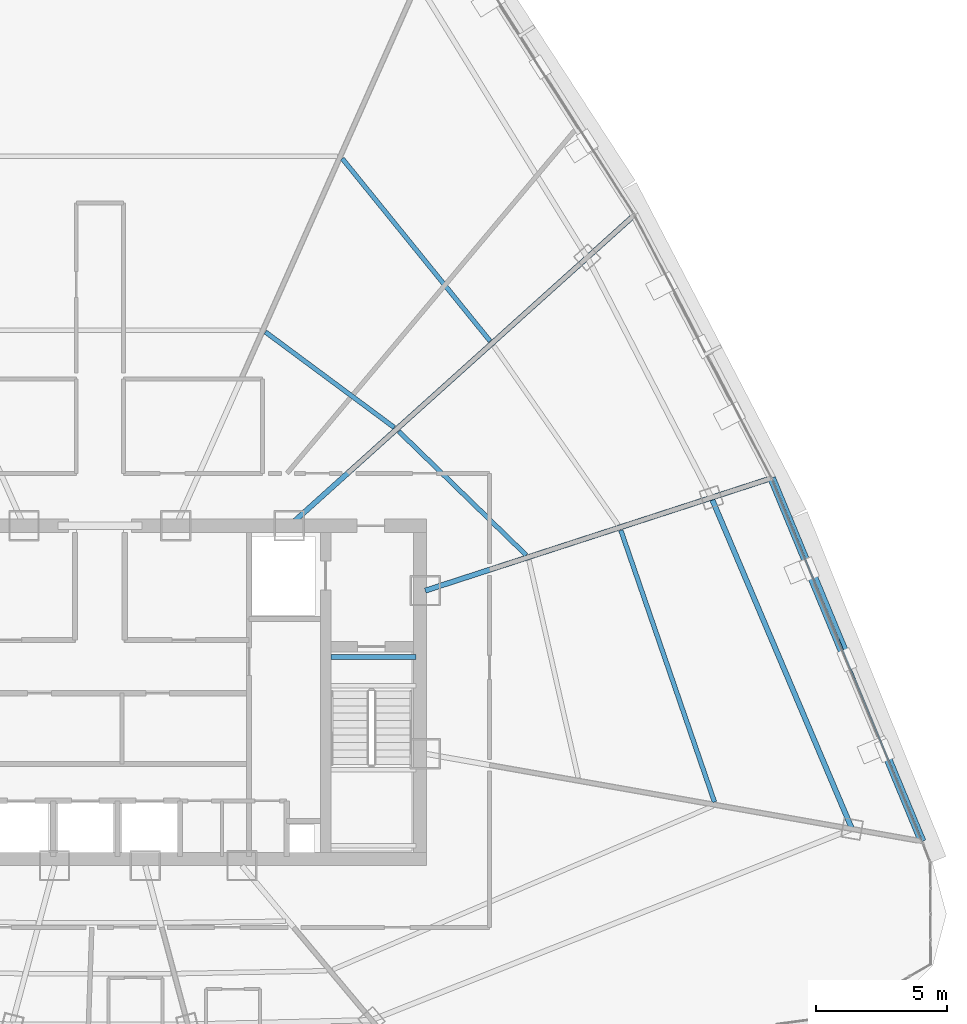
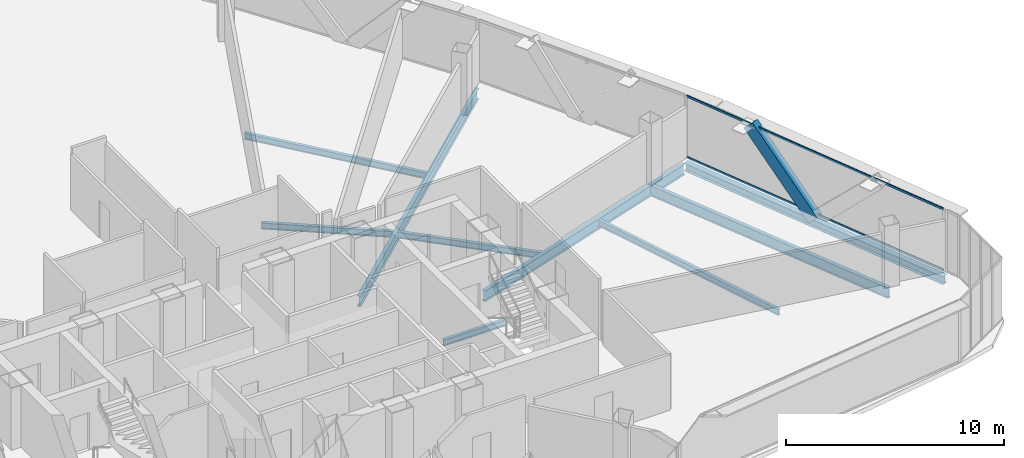
# One storey, part 17 of 39: 9 beams, 3 members, 1 element without a shape of its own.
"""IFC4 building model written with IfcOpenShell, lengths in metres."""

import ifcopenshell
import ifcopenshell.guid

model = None  # the IFC model being written
_history = None  # IfcOwnerHistory: only IFC2X3 demands one
_inside = {}  # id of a spatial element -> (the spatial element, [elements in it])
_under = {}  # id of a project, library or spatial element -> (it, [spatial elements below it])
_declared = {}  # id of a project -> (the project, [libraries it declares])
_typed = {}  # id of a type object -> (the type object, [elements of that type])
_made_of = {}  # id of a material, layer set ... -> (it, [elements and type objects made of it])


def new_model(schema):
    """Start an empty IFC model of exactly this schema.

    Asked for "IFC4X3", IfcOpenShell would pick the latest addendum, in which some entities
    have other attributes; the version numbers below select the first issue.
    IFC2X3 requires an IfcOwnerHistory on every rooted entity: one is made here for all.
    """
    global model, _history
    if schema == "IFC4X3":
        model = ifcopenshell.file(schema_version=(4, 3, 0, 0))
    else:
        model = ifcopenshell.file(schema=schema)
    _inside.clear()
    _under.clear()
    _declared.clear()
    _typed.clear()
    _made_of.clear()
    _history = None
    if model.schema == "IFC2X3":
        org = make("IfcOrganization", Name="unknown")
        user = make(
            "IfcPersonAndOrganization",
            ThePerson=make("IfcPerson", FamilyName="unknown"),
            TheOrganization=org,
        )
        app = make(
            "IfcApplication",
            ApplicationDeveloper=org,
            Version="unknown",
            ApplicationFullName="unknown",
            ApplicationIdentifier="unknown",
        )
        _history = make(
            "IfcOwnerHistory",
            OwningUser=user,
            OwningApplication=app,
            ChangeAction="ADDED",
            CreationDate=0,
        )
    return model


def make(cls, **values):
    """One entity of the class cls with the attributes given. An attribute that is None is left unset."""
    return model.create_entity(
        cls, **{name: value for name, value in values.items() if value is not None}
    )


def rooted(cls, **values):
    """An entity with a GlobalId (a new one), such as an element, a storey or a relation."""
    return make(cls, GlobalId=ifcopenshell.guid.new(), OwnerHistory=_history, **values)


def si_unit(unit_type, name, prefix=None):
    """IfcSIUnit, for example si_unit("LENGTHUNIT", "METRE", prefix="MILLI")."""
    return make("IfcSIUnit", UnitType=unit_type, Prefix=prefix, Name=name)


def assignment(units):
    """IfcUnitAssignment: the units of a project."""
    return None if units is None else make("IfcUnitAssignment", Units=units)


def point(xyz):
    """IfcCartesianPoint."""
    return None if xyz is None else make("IfcCartesianPoint", Coordinates=xyz)


def direction(xyz):
    """IfcDirection."""
    return None if xyz is None else make("IfcDirection", DirectionRatios=xyz)


def frame(location, z_axis=None, x_axis=None):
    """IfcAxis2Placement3D, a coordinate frame: its origin and axes. An axis left out is left unset."""
    return make(
        "IfcAxis2Placement3D",
        Location=point(location),
        Axis=direction(z_axis),
        RefDirection=direction(x_axis),
    )


def frame_2d(location, x_axis=None):
    """IfcAxis2Placement2D, a coordinate frame in the plane: its origin and x axis."""
    return make(
        "IfcAxis2Placement2D", Location=point(location), RefDirection=direction(x_axis)
    )


def origin():
    """The frame at (0, 0, 0) with its axes left unset."""
    return frame((0.0, 0.0, 0.0))


def origin_2d():
    """The frame at (0, 0) in the plane with its x axis left unset."""
    return frame_2d((0.0, 0.0))


def place(relative_to, where):
    """IfcLocalPlacement: puts the frame where relative to a parent placement (None: the world)."""
    return make(
        "IfcLocalPlacement", PlacementRelTo=relative_to, RelativePlacement=where
    )


def context(
    kind, dimensions, precision=None, world=None, true_north=None, identifier=None
):
    """IfcGeometricRepresentationContext, for example the 3D "Model" context."""
    return make(
        "IfcGeometricRepresentationContext",
        ContextIdentifier=identifier,
        ContextType=kind,
        CoordinateSpaceDimension=dimensions,
        Precision=precision,
        WorldCoordinateSystem=world,
        TrueNorth=true_north,
    )


def subcontext(parent, identifier, kind, view, scale=None):
    """IfcGeometricRepresentationSubContext, for example "Body" below "Model"."""
    return make(
        "IfcGeometricRepresentationSubContext",
        ContextIdentifier=identifier,
        ContextType=kind,
        ParentContext=parent,
        TargetScale=scale,
        TargetView=view,
    )


def project(units=None, contexts=None):
    """IfcProject with its units and contexts."""
    return rooted(
        "IfcProject",
        Name="project",
        RepresentationContexts=contexts,
        UnitsInContext=assignment(units),
    )


def spatial(cls, under=None, at=None, **own):
    """A site, building, storey or space (cls), placed at a placement, below another one or the project."""
    s = rooted(cls, ObjectPlacement=at, **own)
    if under is not None:
        _under.setdefault(under.id(), (under, []))[1].append(s)
    return s


def profile(cls, at=None, kind="AREA", **sizes):
    """A parametric profile (cls). Its sizes go by their IFC names, for example OverallWidth=200.0."""
    return make(cls, ProfileType=kind, Position=at, **sizes)


def hollow_rectangle(**sizes):
    """IfcRectangleHollowProfileDef."""
    return profile("IfcRectangleHollowProfileDef", **sizes)


def i_section(**sizes):
    """IfcIShapeProfileDef."""
    return profile("IfcIShapeProfileDef", **sizes)


def extrude(swept, where, along, depth):
    """IfcExtrudedAreaSolid: the profile swept, set in the frame where, extruded along a direction by depth."""
    return make(
        "IfcExtrudedAreaSolid",
        SweptArea=swept,
        Position=where,
        ExtrudedDirection=direction(along),
        Depth=depth,
    )


def shape(context_of_items, identifier, shape_type, items):
    """IfcShapeRepresentation: the items that make up one representation, for example the "Body"."""
    return make(
        "IfcShapeRepresentation",
        ContextOfItems=context_of_items,
        RepresentationIdentifier=identifier,
        RepresentationType=shape_type,
        Items=items,
    )


def source(mapping_origin, context_of_items, identifier, shape_type, items):
    """IfcRepresentationMap: a shape defined once, which mapped items show again and again."""
    return make(
        "IfcRepresentationMap",
        MappingOrigin=mapping_origin,
        MappedRepresentation=shape(context_of_items, identifier, shape_type, items),
    )


def transform(
    local_origin,
    x_axis=None,
    y_axis=None,
    z_axis=None,
    scale=None,
    scale2=None,
    scale3=None,
    uniform=True,
):
    """IfcCartesianTransformationOperator3D, or its non-uniform kind. x_axis, y_axis, z_axis: its Axis1, 2, 3."""
    if uniform:
        return make(
            "IfcCartesianTransformationOperator3D",
            Axis1=direction(x_axis),
            Axis2=direction(y_axis),
            LocalOrigin=point(local_origin),
            Scale=scale,
            Axis3=direction(z_axis),
        )
    return make(
        "IfcCartesianTransformationOperator3DnonUniform",
        Axis1=direction(x_axis),
        Axis2=direction(y_axis),
        LocalOrigin=point(local_origin),
        Scale=scale,
        Axis3=direction(z_axis),
        Scale2=scale2,
        Scale3=scale3,
    )


def mapped(mapping_source, mapping_target):
    """IfcMappedItem: shows the shape of a source again, moved by a transform."""
    return make(
        "IfcMappedItem", MappingSource=mapping_source, MappingTarget=mapping_target
    )


def material(Name=None, Category=None):
    """IfcMaterial."""
    return make("IfcMaterial", Name=Name, Category=Category)


def layer(
    of_material, thickness, ventilated=None, Name=None, Category=None, Priority=None
):
    """IfcMaterialLayer: one layer of a wall or slab, of a material (None: an air gap)."""
    return make(
        "IfcMaterialLayer",
        Material=of_material,
        LayerThickness=thickness,
        IsVentilated=ventilated,
        Name=Name,
        Category=Category,
        Priority=Priority,
    )


def layer_set(layers, Name=None):
    """IfcMaterialLayerSet."""
    return make("IfcMaterialLayerSet", MaterialLayers=layers, LayerSetName=Name)


def material_profile(
    of_material, cross_section, Name=None, Category=None, Priority=None
):
    """IfcMaterialProfile: a cross section and its material."""
    return make(
        "IfcMaterialProfile",
        Name=Name,
        Material=of_material,
        Profile=cross_section,
        Priority=Priority,
        Category=Category,
    )


def profile_set(profiles, Name=None, composite=None):
    """IfcMaterialProfileSet."""
    return make(
        "IfcMaterialProfileSet",
        Name=Name,
        MaterialProfiles=profiles,
        CompositeProfile=composite,
    )


def made_of(thing, what):
    """Note that an element or type object is made of a material, layer set ...; save() writes the relation."""
    if what is not None:
        _made_of.setdefault(what.id(), (what, []))[1].append(thing)
    return thing


def type_object(cls, material=None, **own):
    """A type object (cls), such as IfcWallType, which elements share."""
    return made_of(rooted(cls, **own), material)


def element(
    cls,
    number,
    at=None,
    inside=None,
    cuts=None,
    type_object=None,
    material=None,
    context=None,
    identifier="Body",
    shape_type=None,
    held_by="IfcProductDefinitionShape",
    body=None,
    shapes=None,
    **own,
):
    """One element of the class cls, such as IfcWall. Its Tag is "e" and its number.

    at: its placement. inside: the storey or other place that contains it. cuts: it is an
    opening in that element (IfcRelVoidsElement). A single representation is given by context,
    identifier, shape_type and body (its items); several are given by shapes. held_by: the class
    of the entity that holds the representations. save() writes the other relations.
    """
    e = rooted(cls, Tag="e%d" % number, ObjectPlacement=at, **own)
    if body is not None:
        shapes = [shape(context, identifier, shape_type, body)]
    if shapes is not None:
        e.Representation = make(held_by, Representations=shapes)
    if inside is not None:
        _inside.setdefault(inside.id(), (inside, []))[1].append(e)
    if cuts is not None:
        rooted(
            "IfcRelVoidsElement", RelatingBuildingElement=cuts, RelatedOpeningElement=e
        )
    if type_object is not None:
        _typed.setdefault(type_object.id(), (type_object, []))[1].append(e)
    return made_of(e, material)


def aggregate(whole, parts):
    """IfcRelAggregates: a whole, such as a stair, and the parts it consists of."""
    return rooted("IfcRelAggregates", RelatingObject=whole, RelatedObjects=parts)


def save(model, path):
    """Write the relations noted so far, then the file.

    IfcRelAggregates (storeys below a building ...), IfcRelContainedInSpatialStructure (elements
    in a storey), IfcRelDefinesByType, IfcRelAssociatesMaterial and IfcRelDeclares: one each for
    every whole, place, type object, material and project.
    """
    for whole, parts in _under.values():
        aggregate(whole, parts)
    for where, things in _inside.values():
        rooted(
            "IfcRelContainedInSpatialStructure",
            RelatedElements=things,
            RelatingStructure=where,
        )
    for kind, things in _typed.values():
        rooted("IfcRelDefinesByType", RelatedObjects=things, RelatingType=kind)
    for what, things in _made_of.values():
        rooted("IfcRelAssociatesMaterial", RelatedObjects=things, RelatingMaterial=what)
    for by, libraries in _declared.values():
        rooted("IfcRelDeclares", RelatingContext=by, RelatedDefinitions=libraries)
    model.write(path)


model = new_model("IFC4")

# Units and contexts
model_context = context("Model", 3, precision=1e-05, world=origin(), true_north=direction((0.0, 1.0)))
body_context = subcontext(model_context, "Body", "Model", "MODEL_VIEW")
ifc_project = project(units=[si_unit("LENGTHUNIT", "METRE"), si_unit("AREAUNIT", "SQUARE_METRE"), si_unit("VOLUMEUNIT", "CUBIC_METRE"), si_unit("PLANEANGLEUNIT", "RADIAN"), si_unit("MASSUNIT", "GRAM", prefix="KILO"), si_unit("THERMODYNAMICTEMPERATUREUNIT", "KELVIN"), si_unit("POWERUNIT", "WATT")], contexts=[model_context])

# Site, building, storey
site_placement = place(None, origin())
site = spatial("IfcSite", under=ifc_project, at=site_placement, CompositionType="ELEMENT")
building_placement = place(site_placement, origin())
building = spatial("IfcBuilding", under=site, at=building_placement, Name="Yunzhuo Pagoda Commons", CompositionType="ELEMENT")
storey_placement = place(building_placement, frame((0.0, 0.0, 296.2099609375)))
storey = spatial("IfcBuildingStorey", under=building, at=storey_placement, Name="L74", CompositionType="ELEMENT", Elevation=296.2099609375)

# Beams
ifc_material_1 = material(Name="Structural steel Q355B", Category="steel")
ifc_material_profile_1 = material_profile(ifc_material_1, i_section(OverallWidth=0.175048828125, OverallDepth=0.35009765625, WebThickness=0.007080078125, FlangeThickness=0.010986328125, at=origin_2d()), Name="Structural steel Q355B")
ifc_profile_set_1 = profile_set([ifc_material_profile_1], Name="Structural steel Q355B")
beam_type_1 = type_object("IfcBeamType", Name="B-JS2 Joist HN 350x175x7x11", PredefinedType="JOIST", material=ifc_profile_set_1)
shared_shape_1 = source(origin(), body_context, "Body", "SweptSolid", [
    extrude(i_section(OverallWidth=0.175048828125, OverallDepth=0.35009765625, WebThickness=0.007080078125, FlangeThickness=0.010986328125, at=origin_2d()), origin(), (0.0, 0.0, 1.0), 3.25),
])
beam_1_placement = place(storey_placement, frame((56.800048828125, 35.199951171875, -0.375), z_axis=(1.0, 0.0, 0.0), x_axis=(0.0, 1.0, 0.0)))
element("IfcBeam", 1, at=beam_1_placement, inside=storey, type_object=beam_type_1, Name="L74 ST2 landing support beam 178B", PredefinedType="JOIST", context=body_context, shape_type="MappedRepresentation", body=[
    mapped(shared_shape_1, transform((0.0, 0.0, 0.0), scale=1.0)),
])
ifc_material_profile_2 = material_profile(ifc_material_1, i_section(OverallWidth=0.199951171875, OverallDepth=0.60009765625, WebThickness=0.010986328125, FlangeThickness=0.01708984375, at=origin_2d()), Name="Structural steel Q355B")
ifc_profile_set_2 = profile_set([ifc_material_profile_2], Name="Structural steel Q355B")
beam_type_2 = type_object("IfcBeamType", Name="B-RG3 Beam HN 600x200x11x17", PredefinedType="BEAM", material=ifc_profile_set_2)
shared_shape_2 = source(origin(), body_context, "Body", "SweptSolid", [
    extrude(i_section(OverallWidth=0.199951171875, OverallDepth=0.60009765625, WebThickness=0.010986328125, FlangeThickness=0.01708984375, at=origin_2d()), origin(), (0.0, 0.0, 1.0), 13.715576171875),
])
beam_2_placement = place(storey_placement, frame((76.66162109375, 28.646240234375, -0.56005859375), z_axis=(-0.390733146992, 0.920503996646, 0.0), x_axis=(-0.920503996646, -0.390733146992, 0.0)))
element("IfcBeam", 2, at=beam_2_placement, inside=storey, type_object=beam_type_2, Name="L74 column-ring beam 5", PredefinedType="BEAM", context=body_context, shape_type="MappedRepresentation", body=[
    mapped(shared_shape_2, transform((0.0, 0.0, 0.0), scale=1.0)),
])
shared_shape_3 = source(origin(), body_context, "Body", "SweptSolid", [
    extrude(i_section(OverallWidth=0.175048828125, OverallDepth=0.35009765625, WebThickness=0.007080078125, FlangeThickness=0.010986328125, at=origin_2d()), origin(), (0.0, 0.0, 1.0), 10.954345703125),
])
beam_3_placement = place(storey_placement, frame((71.42041015625, 29.672607421875, -0.43505859375), z_axis=(-0.325839571137, 0.945425075763, 0.0), x_axis=(-0.945425075763, -0.325839571137, 0.0)))
element("IfcBeam", 3, at=beam_3_placement, inside=storey, type_object=beam_type_1, Name="L74 composite ring joist 2.5", PredefinedType="JOIST", context=body_context, shape_type="MappedRepresentation", body=[
    mapped(shared_shape_3, transform((0.0, 0.0, 0.0), scale=1.0)),
])
shared_shape_4 = source(origin(), body_context, "Body", "SweptSolid", [
    extrude(i_section(OverallWidth=0.175048828125, OverallDepth=0.35009765625, WebThickness=0.007080078125, FlangeThickness=0.010986328125, at=origin_2d()), origin(), (0.0, 0.0, 1.0), 6.767333984375),
])
beam_4_placement = place(storey_placement, frame((64.242431640625, 39.08447265625, -0.43505859375), z_axis=(-0.717207253673, 0.696859925149, 0.0), x_axis=(-0.696859925149, -0.717207253673, 0.0)))
element("IfcBeam", 4, at=beam_4_placement, inside=storey, type_object=beam_type_1, Name="L74 composite ring joist 1.6", PredefinedType="JOIST", context=body_context, shape_type="MappedRepresentation", body=[
    mapped(shared_shape_4, transform((0.0, 0.0, 0.0), scale=1.0)),
])
shared_shape_5 = source(origin(), body_context, "Body", "SweptSolid", [
    extrude(i_section(OverallWidth=0.175048828125, OverallDepth=0.35009765625, WebThickness=0.007080078125, FlangeThickness=0.010986328125, at=origin_2d()), origin(), (0.0, 0.0, 1.0), 6.109619140625),
])
beam_5_placement = place(storey_placement, frame((59.214111328125, 43.948974609375, -0.43505859375), z_axis=(-0.803396474468, 0.595444459888, 0.0), x_axis=(-0.595444459888, -0.803396474468, 0.0)))
element("IfcBeam", 5, at=beam_5_placement, inside=storey, type_object=beam_type_1, Name="L74 composite ring joist 1.7", PredefinedType="JOIST", context=body_context, shape_type="MappedRepresentation", body=[
    mapped(shared_shape_5, transform((0.0, 0.0, 0.0), scale=1.0)),
])
shared_shape_6 = source(origin(), body_context, "Body", "SweptSolid", [
    extrude(i_section(OverallWidth=0.175048828125, OverallDepth=0.35009765625, WebThickness=0.007080078125, FlangeThickness=0.010986328125, at=origin_2d()), origin(), (0.0, 0.0, 1.0), 8.9462890625),
])
beam_6_placement = place(storey_placement, frame((62.867431640625, 47.2412109375, -0.43505859375), z_axis=(-0.629455685791, 0.777036382434, 0.0), x_axis=(-0.777036382434, -0.629455685791, 0.0)))
element("IfcBeam", 6, at=beam_6_placement, inside=storey, type_object=beam_type_1, Name="L74 composite ring joist 2.7", PredefinedType="JOIST", context=body_context, shape_type="MappedRepresentation", body=[
    mapped(shared_shape_6, transform((0.0, 0.0, 0.0), scale=1.0)),
])
shared_shape_7 = source(origin(), body_context, "Body", "SweptSolid", [
    extrude(i_section(OverallWidth=0.199951171875, OverallDepth=0.60009765625, WebThickness=0.010986328125, FlangeThickness=0.01708984375, at=origin_2d()), origin(), (0.0, 0.0, 1.0), 13.723388671875),
])
beam_7_placement = place(storey_placement, frame((73.45166015625, 41.9697265625, -0.56005859375), z_axis=(-0.951057598357, -0.309013664112, 0.0), x_axis=(0.309013664112, -0.951057598357, 0.0)))
element("IfcBeam", 7, at=beam_7_placement, inside=storey, type_object=beam_type_2, Name="L74 radial floor girder F2C2", PredefinedType="BEAM", context=body_context, shape_type="MappedRepresentation", body=[
    mapped(shared_shape_7, transform((0.0, 0.0, 0.0), scale=1.0)),
])
shared_shape_8 = source(origin(), body_context, "Body", "SweptSolid", [
    extrude(i_section(OverallWidth=0.199951171875, OverallDepth=0.60009765625, WebThickness=0.010986328125, FlangeThickness=0.01708984375, at=origin_2d()), origin(), (0.0, 0.0, 1.0), 17.5458984375),
])
beam_8_placement = place(storey_placement, frame((68.258056640625, 51.9404296875, -0.56005859375), z_axis=(-0.74314329772, -0.669132303102, 0.0), x_axis=(0.669132303102, -0.74314329772, 0.0)))
element("IfcBeam", 8, at=beam_8_placement, inside=storey, type_object=beam_type_2, Name="L74 radial floor girder F2C3", PredefinedType="BEAM", context=body_context, shape_type="MappedRepresentation", body=[
    mapped(shared_shape_8, transform((0.0, 0.0, 0.0), scale=1.0)),
])
ifc_material_profile_3 = material_profile(ifc_material_1, i_section(OverallWidth=0.300048828125, OverallDepth=0.43994140625, WebThickness=0.010986328125, FlangeThickness=0.01806640625, at=origin_2d()), Name="Structural steel Q355B")
ifc_profile_set_3 = profile_set([ifc_material_profile_3], Name="Structural steel Q355B")
beam_type_3 = type_object("IfcBeamType", Name="B-SP2 Beam HM 440x300x11x18", PredefinedType="BEAM", material=ifc_profile_set_3)
shared_shape_9 = source(origin(), body_context, "Body", "SweptSolid", [
    extrude(i_section(OverallWidth=0.300048828125, OverallDepth=0.43994140625, WebThickness=0.010986328125, FlangeThickness=0.01806640625, at=origin_2d()), origin(), (0.0, 0.0, 1.0), 14.982421875),
])
beam_9_placement = place(storey_placement, frame((79.331787109375, 28.17529296875, -0.479736328125), z_axis=(-0.382626675999, 0.923903039725, 0.0), x_axis=(-0.923903039725, -0.382626675999, 0.0)))
element("IfcBeam", 9, at=beam_9_placement, inside=storey, type_object=beam_type_3, Name="L74 facade edge spandrel beam F2.1", PredefinedType="BEAM", context=body_context, shape_type="MappedRepresentation", body=[
    mapped(shared_shape_9, transform((0.0, 0.0, 0.0), scale=1.0)),
])

# Member
ifc_material_profile_4 = material_profile(ifc_material_1, hollow_rectangle(XDim=0.3798828125, YDim=0.719970703125, WallThickness=0.02001953125, at=origin_2d()), Name="Structural steel Q355B")
ifc_profile_set_4 = profile_set([ifc_material_profile_4], Name="Structural steel Q355B")
member_type_1 = type_object("IfcMemberType", Name="M-DL3 Brace BOX 720x380x20", PredefinedType="BRACE", material=ifc_profile_set_4)
shared_shape_10 = source(origin(), body_context, "Body", "SweptSolid", [
    extrude(hollow_rectangle(XDim=0.3798828125, YDim=0.719970703125, WallThickness=0.02001953125, at=origin_2d()), origin(), (0.0, 0.0, 1.0), 5.285888671875),
])
member_1_placement = place(storey_placement, frame((76.46533203125, 35.0966796875, -0.260009765625), z_axis=(-0.27111603454, 0.654650540643, 0.705640677293), x_axis=(-0.923904028933, -0.382624287416, 0.0)))
element("IfcMember", 10, at=member_1_placement, inside=storey, type_object=member_type_1, Name="L74 facade diamond brace F2.1R", PredefinedType="BRACE", context=body_context, shape_type="MappedRepresentation", body=[
    mapped(shared_shape_10, transform((0.0, 0.0, 0.0), scale=1.0)),
])

# Curtain wall, members
ifc_material_2 = material(Name="Anodized aluminium 6063-T6", Category="aluminium")
ifc_layer = layer(ifc_material_2, 0.139892578125)
ifc_layer_set = layer_set([ifc_layer], Name="Anodized aluminium 6063-T6")
curtain_wall_type = type_object("IfcCurtainWallType", Name="CW-HI High-Zone Ribbon Curtain Wall", PredefinedType="NOTDEFINED", material=ifc_layer_set)
curtain_wall_placement = place(storey_placement, origin())
curtain_wall = element("IfcCurtainWall", 11, at=curtain_wall_placement, inside=storey, type_object=curtain_wall_type, Name="L74 curtain wall CW-L74-F2B2", PredefinedType="NOTDEFINED")
ifc_material_profile_5 = material_profile(ifc_material_2, hollow_rectangle(XDim=0.054931640625, YDim=0.1201171875, WallThickness=0.00341796875, at=origin_2d()), Name="Anodized aluminium 6063-T6")
ifc_profile_set_5 = profile_set([ifc_material_profile_5], Name="Anodized aluminium 6063-T6")
member_type_2 = type_object("IfcMemberType", Name="CW-HI-T Transom RHS 120x55x3.5", PredefinedType="USERDEFINED", material=ifc_profile_set_5)
shared_shape_11 = source(origin(), body_context, "Body", "SweptSolid", [
    extrude(hollow_rectangle(XDim=0.054931640625, YDim=0.1201171875, WallThickness=0.00341796875, at=origin_2d()), origin(), (0.0, 0.0, 1.0), 14.862548828125),
])
member_2_placement = place(storey_placement, frame((79.308837890625, 28.230712890625, 0.027587890625), z_axis=(-0.382626960401, 0.923902921943, 0.0), x_axis=(-0.923902921943, -0.382626960401, 0.0)))
member_2 = element("IfcMember", 12, at=member_2_placement, type_object=member_type_2, Name="CW transom 1.1", ObjectType="TRANSOM", PredefinedType="USERDEFINED", context=body_context, shape_type="MappedRepresentation", body=[
    mapped(shared_shape_11, transform((0.0, 0.0, 0.0), scale=1.0)),
])
member_3_placement = place(storey_placement, frame((79.308837890625, 28.230712890625, 3.442626953125), z_axis=(-0.382626960401, 0.923902921943, 0.0), x_axis=(-0.923902921943, -0.382626960401, 0.0)))
member_3 = element("IfcMember", 13, at=member_3_placement, type_object=member_type_2, Name="CW transom 1.2", ObjectType="TRANSOM", PredefinedType="USERDEFINED", context=body_context, shape_type="MappedRepresentation", body=[
    mapped(shared_shape_11, transform((0.0, 0.0, 0.0), scale=1.0)),
])
aggregate(curtain_wall, [member_2, member_3])

save(model, "model.ifc")
